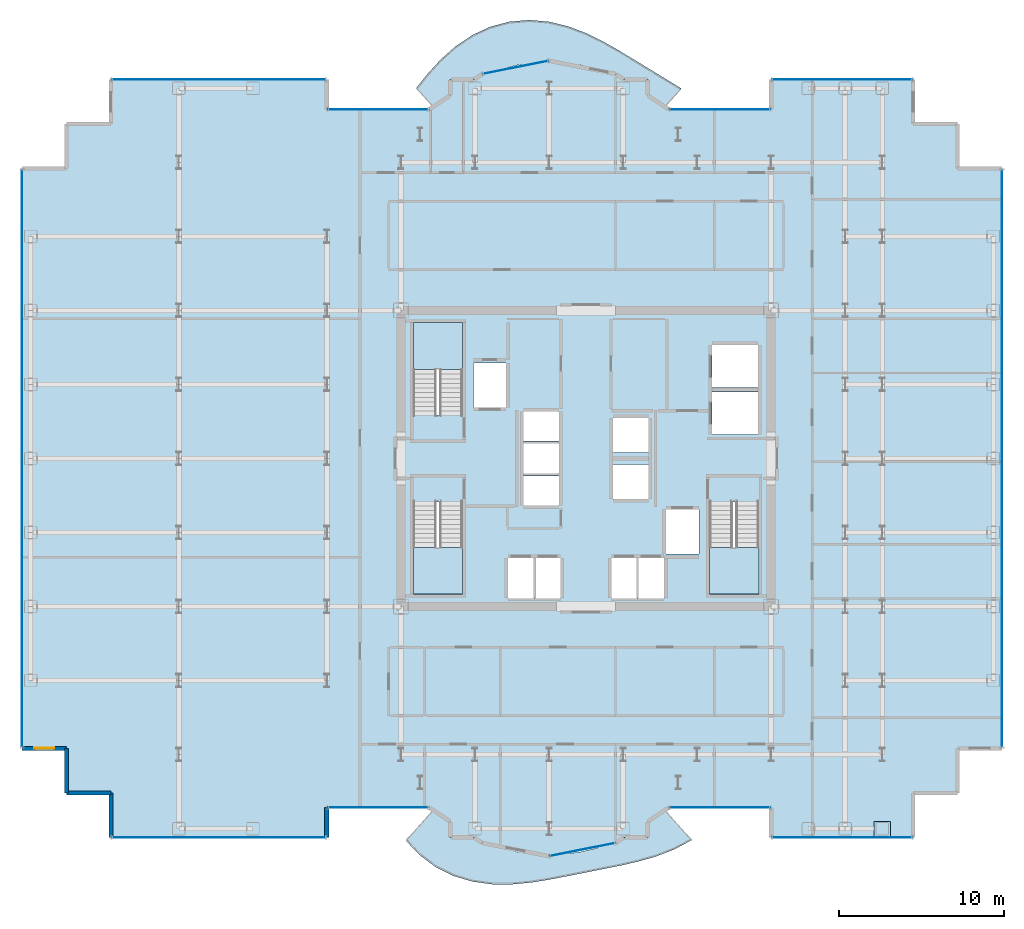
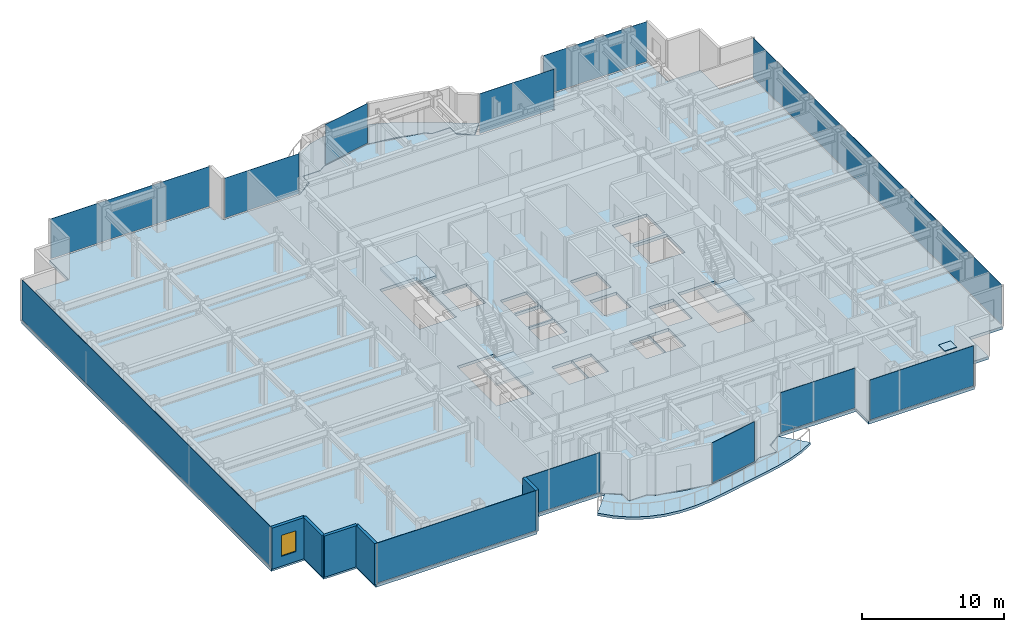
# One storey, part 14 of 22: 13 plates, 6 slabs, 5 walls, 1 window, 1 opening, 15 elements without a shape of their own.
"""IFC4 building model written with IfcOpenShell, lengths in metres."""

import ifcopenshell
import ifcopenshell.guid

model = None  # the IFC model being written
_history = None  # IfcOwnerHistory: only IFC2X3 demands one
_inside = {}  # id of a spatial element -> (the spatial element, [elements in it])
_under = {}  # id of a project, library or spatial element -> (it, [spatial elements below it])
_declared = {}  # id of a project -> (the project, [libraries it declares])
_typed = {}  # id of a type object -> (the type object, [elements of that type])
_made_of = {}  # id of a material, layer set ... -> (it, [elements and type objects made of it])


def new_model(schema):
    """Start an empty IFC model of exactly this schema.

    Asked for "IFC4X3", IfcOpenShell would pick the latest addendum, in which some entities
    have other attributes; the version numbers below select the first issue.
    IFC2X3 requires an IfcOwnerHistory on every rooted entity: one is made here for all.
    """
    global model, _history
    if schema == "IFC4X3":
        model = ifcopenshell.file(schema_version=(4, 3, 0, 0))
    else:
        model = ifcopenshell.file(schema=schema)
    _inside.clear()
    _under.clear()
    _declared.clear()
    _typed.clear()
    _made_of.clear()
    _history = None
    if model.schema == "IFC2X3":
        org = make("IfcOrganization", Name="unknown")
        user = make(
            "IfcPersonAndOrganization",
            ThePerson=make("IfcPerson", FamilyName="unknown"),
            TheOrganization=org,
        )
        app = make(
            "IfcApplication",
            ApplicationDeveloper=org,
            Version="unknown",
            ApplicationFullName="unknown",
            ApplicationIdentifier="unknown",
        )
        _history = make(
            "IfcOwnerHistory",
            OwningUser=user,
            OwningApplication=app,
            ChangeAction="ADDED",
            CreationDate=0,
        )
    return model


def make(cls, **values):
    """One entity of the class cls with the attributes given. An attribute that is None is left unset."""
    return model.create_entity(
        cls, **{name: value for name, value in values.items() if value is not None}
    )


def rooted(cls, **values):
    """An entity with a GlobalId (a new one), such as an element, a storey or a relation."""
    return make(cls, GlobalId=ifcopenshell.guid.new(), OwnerHistory=_history, **values)


def si_unit(unit_type, name, prefix=None):
    """IfcSIUnit, for example si_unit("LENGTHUNIT", "METRE", prefix="MILLI")."""
    return make("IfcSIUnit", UnitType=unit_type, Prefix=prefix, Name=name)


def assignment(units):
    """IfcUnitAssignment: the units of a project."""
    return None if units is None else make("IfcUnitAssignment", Units=units)


def point(xyz):
    """IfcCartesianPoint."""
    return None if xyz is None else make("IfcCartesianPoint", Coordinates=xyz)


def direction(xyz):
    """IfcDirection."""
    return None if xyz is None else make("IfcDirection", DirectionRatios=xyz)


def frame(location, z_axis=None, x_axis=None):
    """IfcAxis2Placement3D, a coordinate frame: its origin and axes. An axis left out is left unset."""
    return make(
        "IfcAxis2Placement3D",
        Location=point(location),
        Axis=direction(z_axis),
        RefDirection=direction(x_axis),
    )


def frame_2d(location, x_axis=None):
    """IfcAxis2Placement2D, a coordinate frame in the plane: its origin and x axis."""
    return make(
        "IfcAxis2Placement2D", Location=point(location), RefDirection=direction(x_axis)
    )


def origin():
    """The frame at (0, 0, 0) with its axes left unset."""
    return frame((0.0, 0.0, 0.0))


def origin_2d():
    """The frame at (0, 0) in the plane with its x axis left unset."""
    return frame_2d((0.0, 0.0))


def place(relative_to, where):
    """IfcLocalPlacement: puts the frame where relative to a parent placement (None: the world)."""
    return make(
        "IfcLocalPlacement", PlacementRelTo=relative_to, RelativePlacement=where
    )


def context(
    kind, dimensions, precision=None, world=None, true_north=None, identifier=None
):
    """IfcGeometricRepresentationContext, for example the 3D "Model" context."""
    return make(
        "IfcGeometricRepresentationContext",
        ContextIdentifier=identifier,
        ContextType=kind,
        CoordinateSpaceDimension=dimensions,
        Precision=precision,
        WorldCoordinateSystem=world,
        TrueNorth=true_north,
    )


def subcontext(parent, identifier, kind, view, scale=None):
    """IfcGeometricRepresentationSubContext, for example "Body" below "Model"."""
    return make(
        "IfcGeometricRepresentationSubContext",
        ContextIdentifier=identifier,
        ContextType=kind,
        ParentContext=parent,
        TargetScale=scale,
        TargetView=view,
    )


def project(units=None, contexts=None):
    """IfcProject with its units and contexts."""
    return rooted(
        "IfcProject",
        Name="project",
        RepresentationContexts=contexts,
        UnitsInContext=assignment(units),
    )


def spatial(cls, under=None, at=None, **own):
    """A site, building, storey or space (cls), placed at a placement, below another one or the project."""
    s = rooted(cls, ObjectPlacement=at, **own)
    if under is not None:
        _under.setdefault(under.id(), (under, []))[1].append(s)
    return s


def polyline(points):
    """IfcPolyline through the points."""
    return make("IfcPolyline", Points=[point(p) for p in points])


def profile(cls, at=None, kind="AREA", **sizes):
    """A parametric profile (cls). Its sizes go by their IFC names, for example OverallWidth=200.0."""
    return make(cls, ProfileType=kind, Position=at, **sizes)


def rectangle(**sizes):
    """IfcRectangleProfileDef."""
    return profile("IfcRectangleProfileDef", **sizes)


def outline(outer, holes=None, kind="AREA"):
    """IfcArbitraryClosedProfileDef: a profile drawn as a closed curve; with holes, ...WithVoids."""
    if holes is None:
        return make("IfcArbitraryClosedProfileDef", ProfileType=kind, OuterCurve=outer)
    return make(
        "IfcArbitraryProfileDefWithVoids",
        ProfileType=kind,
        OuterCurve=outer,
        InnerCurves=holes,
    )


def extrude(swept, where, along, depth):
    """IfcExtrudedAreaSolid: the profile swept, set in the frame where, extruded along a direction by depth."""
    return make(
        "IfcExtrudedAreaSolid",
        SweptArea=swept,
        Position=where,
        ExtrudedDirection=direction(along),
        Depth=depth,
    )


def shape(context_of_items, identifier, shape_type, items):
    """IfcShapeRepresentation: the items that make up one representation, for example the "Body"."""
    return make(
        "IfcShapeRepresentation",
        ContextOfItems=context_of_items,
        RepresentationIdentifier=identifier,
        RepresentationType=shape_type,
        Items=items,
    )


def source(mapping_origin, context_of_items, identifier, shape_type, items):
    """IfcRepresentationMap: a shape defined once, which mapped items show again and again."""
    return make(
        "IfcRepresentationMap",
        MappingOrigin=mapping_origin,
        MappedRepresentation=shape(context_of_items, identifier, shape_type, items),
    )


def transform(
    local_origin,
    x_axis=None,
    y_axis=None,
    z_axis=None,
    scale=None,
    scale2=None,
    scale3=None,
    uniform=True,
):
    """IfcCartesianTransformationOperator3D, or its non-uniform kind. x_axis, y_axis, z_axis: its Axis1, 2, 3."""
    if uniform:
        return make(
            "IfcCartesianTransformationOperator3D",
            Axis1=direction(x_axis),
            Axis2=direction(y_axis),
            LocalOrigin=point(local_origin),
            Scale=scale,
            Axis3=direction(z_axis),
        )
    return make(
        "IfcCartesianTransformationOperator3DnonUniform",
        Axis1=direction(x_axis),
        Axis2=direction(y_axis),
        LocalOrigin=point(local_origin),
        Scale=scale,
        Axis3=direction(z_axis),
        Scale2=scale2,
        Scale3=scale3,
    )


def mapped(mapping_source, mapping_target):
    """IfcMappedItem: shows the shape of a source again, moved by a transform."""
    return make(
        "IfcMappedItem", MappingSource=mapping_source, MappingTarget=mapping_target
    )


def material(Name=None, Category=None):
    """IfcMaterial."""
    return make("IfcMaterial", Name=Name, Category=Category)


def layer(
    of_material, thickness, ventilated=None, Name=None, Category=None, Priority=None
):
    """IfcMaterialLayer: one layer of a wall or slab, of a material (None: an air gap)."""
    return make(
        "IfcMaterialLayer",
        Material=of_material,
        LayerThickness=thickness,
        IsVentilated=ventilated,
        Name=Name,
        Category=Category,
        Priority=Priority,
    )


def layer_set(layers, Name=None):
    """IfcMaterialLayerSet."""
    return make("IfcMaterialLayerSet", MaterialLayers=layers, LayerSetName=Name)


def made_of(thing, what):
    """Note that an element or type object is made of a material, layer set ...; save() writes the relation."""
    if what is not None:
        _made_of.setdefault(what.id(), (what, []))[1].append(thing)
    return thing


def type_object(cls, material=None, **own):
    """A type object (cls), such as IfcWallType, which elements share."""
    return made_of(rooted(cls, **own), material)


def element(
    cls,
    number,
    at=None,
    inside=None,
    cuts=None,
    type_object=None,
    material=None,
    context=None,
    identifier="Body",
    shape_type=None,
    held_by="IfcProductDefinitionShape",
    body=None,
    shapes=None,
    **own,
):
    """One element of the class cls, such as IfcWall. Its Tag is "e" and its number.

    at: its placement. inside: the storey or other place that contains it. cuts: it is an
    opening in that element (IfcRelVoidsElement). A single representation is given by context,
    identifier, shape_type and body (its items); several are given by shapes. held_by: the class
    of the entity that holds the representations. save() writes the other relations.
    """
    e = rooted(cls, Tag="e%d" % number, ObjectPlacement=at, **own)
    if body is not None:
        shapes = [shape(context, identifier, shape_type, body)]
    if shapes is not None:
        e.Representation = make(held_by, Representations=shapes)
    if inside is not None:
        _inside.setdefault(inside.id(), (inside, []))[1].append(e)
    if cuts is not None:
        rooted(
            "IfcRelVoidsElement", RelatingBuildingElement=cuts, RelatedOpeningElement=e
        )
    if type_object is not None:
        _typed.setdefault(type_object.id(), (type_object, []))[1].append(e)
    return made_of(e, material)


def fill(opening, filler):
    """IfcRelFillsElement: the door or window that sits in an opening."""
    return rooted(
        "IfcRelFillsElement",
        RelatingOpeningElement=opening,
        RelatedBuildingElement=filler,
    )


def aggregate(whole, parts):
    """IfcRelAggregates: a whole, such as a stair, and the parts it consists of."""
    return rooted("IfcRelAggregates", RelatingObject=whole, RelatedObjects=parts)


def save(model, path):
    """Write the relations noted so far, then the file.

    IfcRelAggregates (storeys below a building ...), IfcRelContainedInSpatialStructure (elements
    in a storey), IfcRelDefinesByType, IfcRelAssociatesMaterial and IfcRelDeclares: one each for
    every whole, place, type object, material and project.
    """
    for whole, parts in _under.values():
        aggregate(whole, parts)
    for where, things in _inside.values():
        rooted(
            "IfcRelContainedInSpatialStructure",
            RelatedElements=things,
            RelatingStructure=where,
        )
    for kind, things in _typed.values():
        rooted("IfcRelDefinesByType", RelatedObjects=things, RelatingType=kind)
    for what, things in _made_of.values():
        rooted("IfcRelAssociatesMaterial", RelatedObjects=things, RelatingMaterial=what)
    for by, libraries in _declared.values():
        rooted("IfcRelDeclares", RelatingContext=by, RelatedDefinitions=libraries)
    model.write(path)


model = new_model("IFC4")

# Units and contexts
model_context = context("Model", 3, precision=1e-05, world=origin(), true_north=direction((0.0, 1.0)))
body_context = subcontext(model_context, "Body", "Model", "MODEL_VIEW")
ifc_project = project(units=[si_unit("LENGTHUNIT", "METRE"), si_unit("AREAUNIT", "SQUARE_METRE"), si_unit("VOLUMEUNIT", "CUBIC_METRE"), si_unit("PLANEANGLEUNIT", "RADIAN"), si_unit("MASSUNIT", "GRAM", prefix="KILO")], contexts=[model_context])

# Site, building, storey
site_placement = place(None, origin())
site = spatial("IfcSite", under=ifc_project, at=site_placement, CompositionType="ELEMENT")
building_placement = place(site_placement, origin())
building = spatial("IfcBuilding", under=site, at=building_placement, Name="Nefas-Gora Pilgrimage Tower", CompositionType="ELEMENT")
storey_placement = place(building_placement, frame((0.0, 0.0, 179.199951171875)))
storey = spatial("IfcBuildingStorey", under=building, at=storey_placement, Name="L44", CompositionType="ELEMENT", Elevation=179.199951171875)

# Slabs
ifc_material_1 = material(Name="Concrete C40/50", Category="concrete")
ifc_layer_1 = layer(ifc_material_1, 0.22509765625)
ifc_layer_set_1 = layer_set([ifc_layer_1], Name="Concrete C40/50")
slab_type_1 = type_object("IfcSlabType", Name="SLB-BAL-P1", PredefinedType="FLOOR", material=ifc_layer_set_1)
slab_1_placement = place(storey_placement, frame((0.0, 0.0, -0.224853515625)))
element("IfcSlab", 1, at=slab_1_placement, inside=storey, type_object=slab_type_1, Name="L44 Sinusoidal Lobe Balcony Slab S (Phase 1)", PredefinedType="FLOOR", context=body_context, shape_type="SweptSolid", body=[
    extrude(outline(polyline([(4.78759765625, -21.385986328125), (4.724609375, -21.427978515625), (4.038330078125, -21.9912109375), (3.760009765625, -22.179931640625), (3.760009765625, -23.02001953125), (3.760009765625, -23.02099609375), (3.759765625, -23.02197265625), (3.759521484375, -23.02294921875), (3.75927734375, -23.023681640625), (3.7587890625, -23.024658203125), (3.75830078125, -23.025634765625), (3.7578125, -23.0263671875), (3.757080078125, -23.027099609375), (3.75634765625, -23.027587890625), (3.755615234375, -23.0283203125), (3.754638671875, -23.02880859375), (3.75390625, -23.029296875), (3.7529296875, -23.029541015625), (3.751953125, -23.02978515625), (3.7509765625, -23.030029296875), (3.75, -23.030029296875), (2.3271484375, -23.030029296875), (1.81298828125, -23.37353515625), (1.81201171875, -23.3740234375), (1.811279296875, -23.37451171875), (1.810302734375, -23.375), (1.809326171875, -23.375), (1.13037109375, -23.51025390625), (0.602783203125, -23.685302734375), (-0.334716796875, -23.904052734375), (-1.288330078125, -24.035888671875), (-1.580078125, -24.04931640625), (-2.248046875, -24.18212890625), (-2.2490234375, -24.182373046875), (-2.25, -24.182373046875), (-2.2509765625, -24.182373046875), (-2.251953125, -24.18212890625), (-2.919921875, -24.04931640625), (-3.211669921875, -24.035888671875), (-4.165283203125, -23.904052734375), (-5.102783203125, -23.685302734375), (-5.63037109375, -23.51025390625), (-6.309326171875, -23.375), (-6.310302734375, -23.375), (-6.311279296875, -23.37451171875), (-6.31201171875, -23.3740234375), (-6.31298828125, -23.37353515625), (-6.8271484375, -23.030029296875), (-8.25, -23.030029296875), (-8.2509765625, -23.030029296875), (-8.251953125, -23.02978515625), (-8.2529296875, -23.029541015625), (-8.25390625, -23.029296875), (-8.254638671875, -23.02880859375), (-8.255615234375, -23.0283203125), (-8.25634765625, -23.027587890625), (-8.257080078125, -23.027099609375), (-8.2578125, -23.0263671875), (-8.25830078125, -23.025634765625), (-8.2587890625, -23.024658203125), (-8.25927734375, -23.023681640625), (-8.259521484375, -23.02294921875), (-8.259765625, -23.02197265625), (-8.260009765625, -23.02099609375), (-8.260009765625, -23.02001953125), (-8.260009765625, -22.179931640625), (-8.538330078125, -21.9912109375), (-9.224609375, -21.427978515625), (-9.28759765625, -21.385986328125), (-10.9453125, -23.22705078125), (-10.115234375, -24.102783203125), (-9.14697265625, -24.82470703125), (-8.06640625, -25.364501953125), (-6.91064453125, -25.711181640625), (-5.72021484375, -25.87451171875), (-4.531982421875, -25.882080078125), (-3.371337890625, -25.7744140625), (-2.25, -25.595947265625), (-1.164306640625, -25.38671875), (-0.099365234375, -25.17333984375), (0.963623046875, -24.964599609375), (2.04150390625, -24.749755859375), (3.14111328125, -24.502197265625), (4.254638671875, -24.184814453125), (5.35888671875, -23.759521484375), (6.416748046875, -23.1953125), (4.78759765625, -21.385986328125)])), origin(), (0.0, 0.0, 1.0), 0.224853515625),
])
ifc_layer_2 = layer(ifc_material_1, 0.22998046875)
ifc_layer_set_2 = layer_set([ifc_layer_2], Name="Concrete C40/50")
slab_type_2 = type_object("IfcSlabType", Name="SLB-BAL-P5", PredefinedType="FLOOR", material=ifc_layer_set_2)
slab_2_placement = place(storey_placement, frame((0.0, 0.0, -0.22998046875)))
element("IfcSlab", 2, at=slab_2_placement, inside=storey, type_object=slab_type_2, Name="L44 Sinusoidal Lobe Balcony Slab N (Phase 5)", PredefinedType="FLOOR", context=body_context, shape_type="SweptSolid", body=[
    extrude(outline(polyline([(-9.28759765625, 21.385986328125), (-9.224609375, 21.427978515625), (-8.538330078125, 21.9912109375), (-8.260009765625, 22.179931640625), (-8.260009765625, 23.02001953125), (-8.260009765625, 23.02099609375), (-8.259765625, 23.02197265625), (-8.259521484375, 23.02294921875), (-8.25927734375, 23.023681640625), (-8.2587890625, 23.024658203125), (-8.25830078125, 23.025634765625), (-8.2578125, 23.0263671875), (-8.257080078125, 23.027099609375), (-8.25634765625, 23.027587890625), (-8.255615234375, 23.0283203125), (-8.254638671875, 23.02880859375), (-8.25390625, 23.029296875), (-8.2529296875, 23.029541015625), (-8.251953125, 23.02978515625), (-8.2509765625, 23.030029296875), (-8.25, 23.030029296875), (-6.8271484375, 23.030029296875), (-6.31298828125, 23.37353515625), (-6.31201171875, 23.3740234375), (-6.311279296875, 23.37451171875), (-6.310302734375, 23.375), (-6.309326171875, 23.375), (-5.63037109375, 23.51025390625), (-5.102783203125, 23.685302734375), (-4.165283203125, 23.904052734375), (-3.211669921875, 24.035888671875), (-2.919921875, 24.04931640625), (-2.251953125, 24.18212890625), (-2.2509765625, 24.182373046875), (-2.25, 24.182373046875), (-2.2490234375, 24.182373046875), (-2.248046875, 24.18212890625), (-1.580078125, 24.04931640625), (-1.288330078125, 24.035888671875), (-0.334716796875, 23.904052734375), (0.602783203125, 23.685302734375), (1.13037109375, 23.51025390625), (1.809326171875, 23.375), (1.810302734375, 23.375), (1.811279296875, 23.37451171875), (1.81201171875, 23.3740234375), (1.81298828125, 23.37353515625), (2.3271484375, 23.030029296875), (3.75, 23.030029296875), (3.7509765625, 23.030029296875), (3.751953125, 23.02978515625), (3.7529296875, 23.029541015625), (3.75390625, 23.029296875), (3.754638671875, 23.02880859375), (3.755615234375, 23.0283203125), (3.75634765625, 23.027587890625), (3.757080078125, 23.027099609375), (3.7578125, 23.0263671875), (3.75830078125, 23.025634765625), (3.7587890625, 23.024658203125), (3.75927734375, 23.023681640625), (3.759521484375, 23.02294921875), (3.759765625, 23.02197265625), (3.760009765625, 23.02099609375), (3.760009765625, 23.02001953125), (3.760009765625, 22.179931640625), (4.038330078125, 21.9912109375), (4.724609375, 21.427978515625), (4.78759765625, 21.385986328125), (5.782958984375, 22.491455078125), (4.843017578125, 23.068603515625), (3.91552734375, 23.631103515625), (2.99072265625, 24.197265625), (2.048583984375, 24.768310546875), (1.06591796875, 25.326904296875), (0.02392578125, 25.83935546875), (-1.083984375, 26.2607421875), (-2.25, 26.5439453125), (-3.45166015625, 26.6484375), (-4.6552734375, 26.548095703125), (-5.822509765625, 26.23681640625), (-6.917724609375, 25.729736328125), (-7.916015625, 25.059814453125), (-8.807861328125, 24.271240234375), (-9.599365234375, 23.412109375), (-10.3115234375, 22.523193359375), (-9.28759765625, 21.385986328125)])), origin(), (0.0, 0.0, 1.0), 0.22998046875),
])
ifc_layer_3 = layer(ifc_material_1, 0.25)
ifc_layer_set_3 = layer_set([ifc_layer_3], Name="Concrete C40/50")
slab_type_3 = type_object("IfcSlabType", Name="SLB-TWR-250", PredefinedType="FLOOR", material=ifc_layer_set_3)
slab_3_placement = place(storey_placement, frame((0.0, 0.0, -0.25)))
element("IfcSlab", 3, at=slab_3_placement, inside=storey, type_object=slab_type_3, Name="L44 Structural Floor Slab", PredefinedType="FLOOR", context=body_context, shape_type="SweptSolid", body=[
    extrude(outline(polyline([(5.01806640625, -21.219970703125), (11.25, -21.219970703125), (11.25, -23.02001953125), (19.8701171875, -23.02001953125), (19.8701171875, -20.320068359375), (22.570068359375, -20.320068359375), (22.570068359375, -17.6201171875), (25.27001953125, -17.6201171875), (25.27001953125, 17.6201171875), (22.570068359375, 17.6201171875), (22.570068359375, 20.320068359375), (19.8701171875, 20.320068359375), (19.8701171875, 23.02001953125), (11.25, 23.02001953125), (11.25, 21.219970703125), (5.01806640625, 21.219970703125), (3.75, 22.0673828125), (3.75, 23.02001953125), (2.32421875, 23.02001953125), (1.807373046875, 23.365234375), (-2.25, 24.17236328125), (-6.307373046875, 23.365234375), (-6.82421875, 23.02001953125), (-8.25, 23.02001953125), (-8.25, 22.0673828125), (-9.51806640625, 21.219970703125), (-15.75, 21.219970703125), (-15.75, 23.02001953125), (-28.8701171875, 23.02001953125), (-28.8701171875, 20.320068359375), (-31.570068359375, 20.320068359375), (-31.570068359375, 17.6201171875), (-34.27001953125, 17.6201171875), (-34.27001953125, -17.6201171875), (-31.570068359375, -17.6201171875), (-31.570068359375, -20.320068359375), (-28.8701171875, -20.320068359375), (-28.8701171875, -23.02001953125), (-15.75, -23.02001953125), (-15.75, -21.219970703125), (-9.51806640625, -21.219970703125), (-8.25, -22.0673828125), (-8.25, -23.02001953125), (-6.82421875, -23.02001953125), (-6.307373046875, -23.365234375), (-2.25, -24.17236328125), (1.807373046875, -23.365234375), (2.32421875, -23.02001953125), (3.75, -23.02001953125), (3.75, -22.0673828125), (5.01806640625, -21.219970703125)]), holes=[polyline([(-10.5, 2.639892578125), (-10.5, 8.25), (-7.5, 8.25), (-7.5, 2.639892578125), (-10.5, 2.639892578125)]), polyline([(10.5, -2.639892578125), (10.5, -8.25), (7.5, -8.25), (7.5, -2.639892578125), (10.5, -2.639892578125)]), polyline([(-7.5, -2.639892578125), (-7.5, -8.25), (-10.5, -8.25), (-10.5, -2.639892578125), (-7.5, -2.639892578125)]), polyline([(-6.85009765625, 5.800048828125), (-4.85009765625, 5.800048828125), (-4.85009765625, 3.10009765625), (-6.85009765625, 3.10009765625), (-6.85009765625, 5.800048828125)]), polyline([(4.85009765625, -3.10009765625), (6.85009765625, -3.10009765625), (6.85009765625, -5.800048828125), (4.85009765625, -5.800048828125), (4.85009765625, -3.10009765625)]), polyline([(7.64990234375, 4.050048828125), (10.449951171875, 4.050048828125), (10.449951171875, 1.449951171875), (7.64990234375, 1.449951171875), (7.64990234375, 4.050048828125)]), polyline([(7.64990234375, 6.89990234375), (10.449951171875, 6.89990234375), (10.449951171875, 4.300048828125), (7.64990234375, 4.300048828125), (7.64990234375, 6.89990234375)]), polyline([(-4.75, -6.050048828125), (-3.14990234375, -6.050048828125), (-3.14990234375, -8.5), (-4.75, -8.5), (-4.75, -6.050048828125)]), polyline([(-3.10009765625, -6.050048828125), (-1.550048828125, -6.050048828125), (-1.550048828125, -8.5), (-3.10009765625, -8.5), (-3.10009765625, -6.050048828125)]), polyline([(1.550048828125, -6.050048828125), (3.10009765625, -6.050048828125), (3.10009765625, -8.5), (1.550048828125, -8.5), (1.550048828125, -6.050048828125)]), polyline([(3.14990234375, -6.050048828125), (4.75, -6.050048828125), (4.75, -8.5), (3.14990234375, -8.5), (3.14990234375, -6.050048828125)]), polyline([(-3.800048828125, -1.050048828125), (-1.64990234375, -1.050048828125), (-1.64990234375, -2.85009765625), (-3.800048828125, -2.85009765625), (-3.800048828125, -1.050048828125)]), polyline([(-3.800048828125, 0.89990234375), (-1.64990234375, 0.89990234375), (-1.64990234375, -0.89990234375), (-3.800048828125, -0.89990234375), (-3.800048828125, 0.89990234375)]), polyline([(-3.800048828125, 2.85009765625), (-1.64990234375, 2.85009765625), (-1.64990234375, 1.050048828125), (-3.800048828125, 1.050048828125), (-3.800048828125, 2.85009765625)]), polyline([(1.64990234375, -0.35009765625), (3.800048828125, -0.35009765625), (3.800048828125, -2.449951171875), (1.64990234375, -2.449951171875), (1.64990234375, -0.35009765625)]), polyline([(1.64990234375, 2.449951171875), (3.800048828125, 2.449951171875), (3.800048828125, 0.35009765625), (1.64990234375, 0.35009765625), (1.64990234375, 2.449951171875)])]), origin(), (0.0, 0.0, 1.0), 0.25),
])

# Stair, slab
ifc_material_2 = material(Name="Concrete C45/55", Category="concrete")
stair_type = type_object("IfcStairType", Name="STR-1400-R1727", PredefinedType="HALF_TURN_STAIR", material=ifc_material_2)
stair_1_placement = place(storey_placement, origin())
stair_1 = element("IfcStair", 4, at=stair_1_placement, inside=storey, type_object=stair_type, Name="L44 Pressurised Tower Exit Stair ST-01", PredefinedType="HALF_TURN_STAIR")
ifc_layer_4 = layer(ifc_material_1, 0.199951171875)
ifc_layer_set_4 = layer_set([ifc_layer_4], Name="Concrete C40/50")
slab_type_4 = type_object("IfcSlabType", Name="STR-LAND-200", PredefinedType="LANDING", material=ifc_layer_set_4)
slab_4_placement = place(storey_placement, frame((0.0, 0.0, 1.699951171875)))
slab_4 = element("IfcSlab", 5, at=slab_4_placement, type_object=slab_type_4, Name="ST-01 landing 1", PredefinedType="LANDING", context=body_context, shape_type="SweptSolid", body=[
    extrude(outline(polyline([(-7.5, 5.39990234375), (-7.5, 8.25), (-10.5, 8.25), (-10.5, 5.39990234375), (-7.5, 5.39990234375)])), origin(), (0.0, 0.0, 1.0), 0.2001953125),
])
aggregate(stair_1, [slab_4])

stair_2_placement = place(storey_placement, origin())
stair_2 = element("IfcStair", 6, at=stair_2_placement, inside=storey, type_object=stair_type, Name="L44 Pressurised Tower Exit Stair ST-02", PredefinedType="HALF_TURN_STAIR")
slab_5_placement = place(storey_placement, frame((0.0, 0.0, 1.699951171875)))
slab_5 = element("IfcSlab", 7, at=slab_5_placement, type_object=slab_type_4, Name="ST-02 landing 1", PredefinedType="LANDING", context=body_context, shape_type="SweptSolid", body=[
    extrude(outline(polyline([(7.5, -5.39990234375), (7.5, -8.25), (10.5, -8.25), (10.5, -5.39990234375), (7.5, -5.39990234375)])), origin(), (0.0, 0.0, 1.0), 0.2001953125),
])
aggregate(stair_2, [slab_5])

stair_3_placement = place(storey_placement, origin())
stair_3 = element("IfcStair", 8, at=stair_3_placement, inside=storey, type_object=stair_type, Name="L44 Pressurised Tower Exit Stair ST-03", PredefinedType="HALF_TURN_STAIR")
slab_6_placement = place(storey_placement, frame((0.0, 0.0, 1.699951171875)))
slab_6 = element("IfcSlab", 9, at=slab_6_placement, type_object=slab_type_4, Name="ST-03 landing 1", PredefinedType="LANDING", context=body_context, shape_type="SweptSolid", body=[
    extrude(outline(polyline([(-10.5, -5.39990234375), (-10.5, -8.25), (-7.5, -8.25), (-7.5, -5.39990234375), (-10.5, -5.39990234375)])), origin(), (0.0, 0.0, 1.0), 0.2001953125),
])
aggregate(stair_3, [slab_6])

# Plate
ifc_material_3 = material(Name="Steel S460", Category="steel")
ifc_layer_5 = layer(ifc_material_3, 0.0400390625)
ifc_layer_set_5 = layer_set([ifc_layer_5], Name="Steel S460")
plate_type_1 = type_object("IfcPlateType", Name="PLT-ENDCAP-40", PredefinedType="SHEET", material=ifc_layer_set_5)
shared_shape_1 = source(origin(), body_context, "Body", "SweptSolid", [
    extrude(rectangle(XDim=0.97607421875, YDim=0.8798828125, at=origin_2d()), origin(), (0.0, 0.0, 1.0), 0.050048828125),
])
plate_1_placement = place(storey_placement, frame((18.0, -22.5, 3.77490234375), z_axis=(0.0, 0.0, 1.0), x_axis=(1.0, 0.0, 0.0)))
element("IfcPlate", 10, at=plate_1_placement, inside=storey, type_object=plate_type_1, Name="L44 Setback Hollow Column Top Cap Plate 32", PredefinedType="SHEET", context=body_context, shape_type="MappedRepresentation", body=[
    mapped(shared_shape_1, transform((0.0, 0.0, 0.0), x_axis=(1.0, 0.0, 0.0), y_axis=(0.0, 1.0, 0.0), z_axis=(0.0, 0.0, 1.0), scale=1.0)),
])

# Curtain wall, plate
ifc_material_4 = material(Name="Dark ceramic-fritted solar-control aluminium-glass curtain wall", Category="aluminium")
ifc_layer_6 = layer(ifc_material_4, 0.219970703125)
ifc_layer_set_6 = layer_set([ifc_layer_6], Name="Dark ceramic-fritted solar-control aluminium-glass curtain wall")
curtain_wall_type_1 = type_object("IfcCurtainWallType", Name="CW-SYS-5", PredefinedType="NOTDEFINED", material=ifc_layer_set_6)
curtain_wall_1_placement = place(storey_placement, origin())
curtain_wall_1 = element("IfcCurtainWall", 11, at=curtain_wall_1_placement, inside=storey, type_object=curtain_wall_type_1, Name="L44 Unitised Curtain Wall CW5", PredefinedType="NOTDEFINED")
ifc_material_5 = material(Name="Dark ceramic-printed low-e insulated glass", Category="glass")
ifc_layer_7 = layer(ifc_material_5, 0.028076171875)
ifc_layer_set_7 = layer_set([ifc_layer_7], Name="Dark ceramic-printed low-e insulated glass")
plate_type_2 = type_object("IfcPlateType", Name="CWP-PNL-5", PredefinedType="CURTAIN_PANEL", material=ifc_layer_set_7)
shared_shape_2 = source(origin(), body_context, "Body", "SweptSolid", [
    extrude(rectangle(XDim=6.052001953125, YDim=0.028076171875, at=origin_2d()), origin(), (0.0, 0.0, 1.0), 3.43994140625),
])
plate_2_placement = place(storey_placement, frame((8.134033203125, -21.219970703125, 0.10009765625), z_axis=(0.0, 0.0, 1.0), x_axis=(1.0, 0.0, 0.0)))
plate_2 = element("IfcPlate", 12, at=plate_2_placement, type_object=plate_type_2, Name="CW5 Ceramic-Fritted Glazing Panel 1", PredefinedType="CURTAIN_PANEL", context=body_context, shape_type="MappedRepresentation", body=[
    mapped(shared_shape_2, transform((0.0, 0.0, 0.0), x_axis=(1.0, 0.0, 0.0), y_axis=(0.0, 1.0, 0.0), z_axis=(0.0, 0.0, 1.0), scale=1.0)),
])
aggregate(curtain_wall_1, [plate_2])

curtain_wall_2_placement = place(storey_placement, origin())
curtain_wall_2 = element("IfcCurtainWall", 13, at=curtain_wall_2_placement, inside=storey, type_object=curtain_wall_type_1, Name="L44 Unitised Curtain Wall CW5", PredefinedType="NOTDEFINED")
plate_3_placement = place(storey_placement, frame((8.134033203125, 21.219970703125, 0.10009765625), z_axis=(0.0, 0.0, 1.0), x_axis=(-1.0, 0.0, 0.0)))
plate_3 = element("IfcPlate", 14, at=plate_3_placement, type_object=plate_type_2, Name="CW5 Ceramic-Fritted Glazing Panel 1", PredefinedType="CURTAIN_PANEL", context=body_context, shape_type="MappedRepresentation", body=[
    mapped(shared_shape_2, transform((0.0, 0.0, 0.0), x_axis=(1.0, 0.0, 0.0), y_axis=(0.0, 1.0, 0.0), z_axis=(0.0, 0.0, 1.0), scale=1.0)),
])
aggregate(curtain_wall_2, [plate_3])

curtain_wall_3_placement = place(storey_placement, origin())
curtain_wall_3 = element("IfcCurtainWall", 15, at=curtain_wall_3_placement, inside=storey, type_object=curtain_wall_type_1, Name="L44 Unitised Curtain Wall CW5", PredefinedType="NOTDEFINED")
plate_4_placement = place(storey_placement, frame((-12.634033203125, 21.219970703125, 0.10009765625), z_axis=(0.0, 0.0, 1.0), x_axis=(-1.0, 0.0, 0.0)))
plate_4 = element("IfcPlate", 16, at=plate_4_placement, type_object=plate_type_2, Name="CW5 Ceramic-Fritted Glazing Panel 1", PredefinedType="CURTAIN_PANEL", context=body_context, shape_type="MappedRepresentation", body=[
    mapped(shared_shape_2, transform((0.0, 0.0, 0.0), x_axis=(1.0, 0.0, 0.0), y_axis=(0.0, 1.0, 0.0), z_axis=(0.0, 0.0, 1.0), scale=1.0)),
])
aggregate(curtain_wall_3, [plate_4])

curtain_wall_4_placement = place(storey_placement, origin())
curtain_wall_4 = element("IfcCurtainWall", 17, at=curtain_wall_4_placement, inside=storey, type_object=curtain_wall_type_1, Name="L44 Unitised Curtain Wall CW5", PredefinedType="NOTDEFINED")
plate_5_placement = place(storey_placement, frame((-12.634033203125, -21.219970703125, 0.10009765625), z_axis=(0.0, 0.0, 1.0), x_axis=(1.0, 0.0, 0.0)))
plate_5 = element("IfcPlate", 18, at=plate_5_placement, type_object=plate_type_2, Name="CW5 Ceramic-Fritted Glazing Panel 1", PredefinedType="CURTAIN_PANEL", context=body_context, shape_type="MappedRepresentation", body=[
    mapped(shared_shape_2, transform((0.0, 0.0, 0.0), x_axis=(1.0, 0.0, 0.0), y_axis=(0.0, 1.0, 0.0), z_axis=(0.0, 0.0, 1.0), scale=1.0)),
])
aggregate(curtain_wall_4, [plate_5])

curtain_wall_5_placement = place(storey_placement, origin())
curtain_wall_5 = element("IfcCurtainWall", 19, at=curtain_wall_5_placement, inside=storey, type_object=curtain_wall_type_1, Name="L44 Unitised Curtain Wall CW5", PredefinedType="NOTDEFINED")
shared_shape_3 = source(origin(), body_context, "Body", "SweptSolid", [
    extrude(rectangle(XDim=3.956787109375, YDim=0.028076171875, at=origin_2d()), origin(), (0.0, 0.0, 1.0), 3.43994140625),
])
plate_6_placement = place(storey_placement, frame((-4.278564453125, 23.768798828125, 0.10009765625), z_axis=(0.0, 0.0, 1.0), x_axis=(-0.980782896852, -0.195102304554, 0.0)))
plate_6 = element("IfcPlate", 20, at=plate_6_placement, type_object=plate_type_2, Name="CW5 Ceramic-Fritted Glazing Panel 1", PredefinedType="CURTAIN_PANEL", context=body_context, shape_type="MappedRepresentation", body=[
    mapped(shared_shape_3, transform((0.0, 0.0, 0.0), x_axis=(1.0, 0.0, 0.0), y_axis=(0.0, 1.0, 0.0), z_axis=(0.0, 0.0, 1.0), scale=1.0)),
])
aggregate(curtain_wall_5, [plate_6])

curtain_wall_6_placement = place(storey_placement, origin())
curtain_wall_6 = element("IfcCurtainWall", 21, at=curtain_wall_6_placement, inside=storey, type_object=curtain_wall_type_1, Name="L44 Unitised Curtain Wall CW5", PredefinedType="NOTDEFINED")
plate_7_placement = place(storey_placement, frame((-0.221435546875, -23.768798828125, 0.10009765625), z_axis=(0.0, 0.0, 1.0), x_axis=(0.980782896852, 0.195102304554, 0.0)))
plate_7 = element("IfcPlate", 22, at=plate_7_placement, type_object=plate_type_2, Name="CW5 Ceramic-Fritted Glazing Panel 1", PredefinedType="CURTAIN_PANEL", context=body_context, shape_type="MappedRepresentation", body=[
    mapped(shared_shape_3, transform((0.0, 0.0, 0.0), x_axis=(1.0, 0.0, 0.0), y_axis=(0.0, 1.0, 0.0), z_axis=(0.0, 0.0, 1.0), scale=1.0)),
])
aggregate(curtain_wall_6, [plate_7])

ifc_layer_8 = layer(ifc_material_4, 0.219970703125)
ifc_layer_set_8 = layer_set([ifc_layer_8], Name="Dark ceramic-fritted solar-control aluminium-glass curtain wall")
curtain_wall_type_2 = type_object("IfcCurtainWallType", Name="CW-SYS-3", PredefinedType="NOTDEFINED", material=ifc_layer_set_8)
curtain_wall_7_placement = place(storey_placement, origin())
curtain_wall_7 = element("IfcCurtainWall", 23, at=curtain_wall_7_placement, inside=storey, type_object=curtain_wall_type_2, Name="L44 Unitised Curtain Wall CW3", PredefinedType="NOTDEFINED")
ifc_layer_9 = layer(ifc_material_5, 0.033935546875)
ifc_layer_set_9 = layer_set([ifc_layer_9], Name="Dark ceramic-printed low-e insulated glass")
plate_type_3 = type_object("IfcPlateType", Name="CWP-PNL-3", PredefinedType="CURTAIN_PANEL", material=ifc_layer_set_9)
shared_shape_4 = source(origin(), body_context, "Body", "SweptSolid", [
    extrude(rectangle(XDim=8.43994140625, YDim=0.033935546875, at=origin_2d()), origin(), (0.0, 0.0, 1.0), 3.43994140625),
])
plate_8_placement = place(storey_placement, frame((15.56005859375, -23.02001953125, 0.10009765625), z_axis=(0.0, 0.0, 1.0), x_axis=(1.0, 0.0, 0.0)))
plate_8 = element("IfcPlate", 24, at=plate_8_placement, type_object=plate_type_3, Name="CW3 Ceramic-Fritted Glazing Panel 1", PredefinedType="CURTAIN_PANEL", context=body_context, shape_type="MappedRepresentation", body=[
    mapped(shared_shape_4, transform((0.0, 0.0, 0.0), x_axis=(1.0, 0.0, 0.0), y_axis=(0.0, 1.0, 0.0), z_axis=(0.0, 0.0, 1.0), scale=1.0)),
])
aggregate(curtain_wall_7, [plate_8])

curtain_wall_8_placement = place(storey_placement, origin())
curtain_wall_8 = element("IfcCurtainWall", 25, at=curtain_wall_8_placement, inside=storey, type_object=curtain_wall_type_2, Name="L44 Unitised Curtain Wall CW3", PredefinedType="NOTDEFINED")
plate_9_placement = place(storey_placement, frame((15.56005859375, 23.02001953125, 0.10009765625), z_axis=(0.0, 0.0, 1.0), x_axis=(-1.0, 0.0, 0.0)))
plate_9 = element("IfcPlate", 26, at=plate_9_placement, type_object=plate_type_3, Name="CW3 Ceramic-Fritted Glazing Panel 1", PredefinedType="CURTAIN_PANEL", context=body_context, shape_type="MappedRepresentation", body=[
    mapped(shared_shape_4, transform((0.0, 0.0, 0.0), x_axis=(1.0, 0.0, 0.0), y_axis=(0.0, 1.0, 0.0), z_axis=(0.0, 0.0, 1.0), scale=1.0)),
])
aggregate(curtain_wall_8, [plate_9])

curtain_wall_9_placement = place(storey_placement, origin())
curtain_wall_9 = element("IfcCurtainWall", 27, at=curtain_wall_9_placement, inside=storey, type_object=curtain_wall_type_2, Name="L44 Unitised Curtain Wall CW3", PredefinedType="NOTDEFINED")
shared_shape_5 = source(origin(), body_context, "Body", "SweptSolid", [
    extrude(rectangle(XDim=12.93994140625, YDim=0.033935546875, at=origin_2d()), origin(), (0.0, 0.0, 1.0), 3.43994140625),
])
plate_10_placement = place(storey_placement, frame((-22.31005859375, 23.02001953125, 0.10009765625), z_axis=(0.0, 0.0, 1.0), x_axis=(-1.0, 0.0, 0.0)))
plate_10 = element("IfcPlate", 28, at=plate_10_placement, type_object=plate_type_3, Name="CW3 Ceramic-Fritted Glazing Panel 1", PredefinedType="CURTAIN_PANEL", context=body_context, shape_type="MappedRepresentation", body=[
    mapped(shared_shape_5, transform((0.0, 0.0, 0.0), x_axis=(1.0, 0.0, 0.0), y_axis=(0.0, 1.0, 0.0), z_axis=(0.0, 0.0, 1.0), scale=1.0)),
])
aggregate(curtain_wall_9, [plate_10])

curtain_wall_10_placement = place(storey_placement, origin())
curtain_wall_10 = element("IfcCurtainWall", 29, at=curtain_wall_10_placement, inside=storey, type_object=curtain_wall_type_2, Name="L44 Unitised Curtain Wall CW3", PredefinedType="NOTDEFINED")
plate_11_placement = place(storey_placement, frame((-22.31005859375, -23.02001953125, 0.10009765625), z_axis=(0.0, 0.0, 1.0), x_axis=(1.0, 0.0, 0.0)))
plate_11 = element("IfcPlate", 30, at=plate_11_placement, type_object=plate_type_3, Name="CW3 Ceramic-Fritted Glazing Panel 1", PredefinedType="CURTAIN_PANEL", context=body_context, shape_type="MappedRepresentation", body=[
    mapped(shared_shape_5, transform((0.0, 0.0, 0.0), x_axis=(1.0, 0.0, 0.0), y_axis=(0.0, 1.0, 0.0), z_axis=(0.0, 0.0, 1.0), scale=1.0)),
])
aggregate(curtain_wall_10, [plate_11])

curtain_wall_11_placement = place(storey_placement, origin())
curtain_wall_11 = element("IfcCurtainWall", 31, at=curtain_wall_11_placement, inside=storey, type_object=curtain_wall_type_2, Name="L44 Unitised Curtain Wall CW3", PredefinedType="NOTDEFINED")
shared_shape_6 = source(origin(), body_context, "Body", "SweptSolid", [
    extrude(rectangle(XDim=35.06005859375, YDim=0.033935546875, at=origin_2d()), origin(), (0.0, 0.0, 1.0), 3.43994140625),
])
plate_12_placement = place(storey_placement, frame((25.27001953125, 0.0, 0.10009765625), z_axis=(0.0, 0.0, 1.0), x_axis=(0.0, 1.0, 0.0)))
plate_12 = element("IfcPlate", 32, at=plate_12_placement, type_object=plate_type_3, Name="CW3 Ceramic-Fritted Glazing Panel 1", PredefinedType="CURTAIN_PANEL", context=body_context, shape_type="MappedRepresentation", body=[
    mapped(shared_shape_6, transform((0.0, 0.0, 0.0), x_axis=(1.0, 0.0, 0.0), y_axis=(0.0, 1.0, 0.0), z_axis=(0.0, 0.0, 1.0), scale=1.0)),
])
aggregate(curtain_wall_11, [plate_12])

curtain_wall_12_placement = place(storey_placement, origin())
curtain_wall_12 = element("IfcCurtainWall", 33, at=curtain_wall_12_placement, inside=storey, type_object=curtain_wall_type_2, Name="L44 Unitised Curtain Wall CW3", PredefinedType="NOTDEFINED")
plate_13_placement = place(storey_placement, frame((-34.27001953125, 0.0, 0.10009765625), z_axis=(0.0, 0.0, 1.0), x_axis=(0.0, -1.0, 0.0)))
plate_13 = element("IfcPlate", 34, at=plate_13_placement, type_object=plate_type_3, Name="CW3 Ceramic-Fritted Glazing Panel 1", PredefinedType="CURTAIN_PANEL", context=body_context, shape_type="MappedRepresentation", body=[
    mapped(shared_shape_6, transform((0.0, 0.0, 0.0), x_axis=(1.0, 0.0, 0.0), y_axis=(0.0, 1.0, 0.0), z_axis=(0.0, 0.0, 1.0), scale=1.0)),
])
aggregate(curtain_wall_12, [plate_13])

# Wall
ifc_material_6 = material(Name="Precast concrete C40/50", Category="concrete")
ifc_layer_10 = layer(ifc_material_6, 0.260009765625)
ifc_layer_set_10 = layer_set([ifc_layer_10], Name="Precast concrete C40/50")
wall_type_1 = type_object("IfcWallType", Name="EW-PORTAL-260", PredefinedType="SOLIDWALL", material=ifc_layer_set_10)
shared_shape_7 = source(origin(), body_context, "Body", "SweptSolid", [
    extrude(rectangle(XDim=1.800048828125, YDim=0.260009765625, at=frame_2d((0.89990234375, 0.0))), origin(), (0.0, 0.0, 1.0), 3.550048828125),
])
wall_1_placement = place(storey_placement, frame((-15.75, -23.02001953125, 0.0), z_axis=(0.0, 0.0, 1.0), x_axis=(0.0, 1.0, 0.0)))
element("IfcWall", 35, at=wall_1_placement, inside=storey, type_object=wall_type_1, Name="L44 Lobe Shoulder Precast Spandrel Pier 29", PredefinedType="SOLIDWALL", context=body_context, shape_type="MappedRepresentation", body=[
    mapped(shared_shape_7, transform((0.0, 0.0, 0.0), x_axis=(1.0, 0.0, 0.0), y_axis=(0.0, 1.0, 0.0), z_axis=(0.0, 0.0, 1.0), scale=1.0)),
])

# Wall, opening, window
ifc_material_7 = material(Name="Precast concrete C45/55", Category="concrete")
ifc_layer_11 = layer(ifc_material_7, 0.239990234375)
ifc_layer_set_11 = layer_set([ifc_layer_11], Name="Precast concrete C45/55")
wall_type_2 = type_object("IfcWallType", Name="EW-SERR-240", PredefinedType="SHEAR", material=ifc_layer_set_11)
shared_shape_8 = source(origin(), body_context, "Body", "SweptSolid", [
    extrude(rectangle(XDim=2.699951171875, YDim=0.239990234375, at=frame_2d((1.35009765625, 0.0))), origin(), (0.0, 0.0, 1.0), 3.550048828125),
])
wall_2_placement = place(storey_placement, frame((-34.27001953125, -17.6201171875, 0.0), z_axis=(0.0, 0.0, 1.0), x_axis=(1.0, 0.0, 0.0)))
wall_2 = element("IfcWall", 36, at=wall_2_placement, inside=storey, type_object=wall_type_2, Name="L44 Serrated Corner Shear Pier Wall 25", PredefinedType="SHEAR", context=body_context, shape_type="MappedRepresentation", body=[
    mapped(shared_shape_8, transform((0.0, 0.0, 0.0), x_axis=(1.0, 0.0, 0.0), y_axis=(0.0, 1.0, 0.0), z_axis=(0.0, 0.0, 1.0), scale=1.0)),
])
opening_placement = place(wall_2_placement, frame((0.75, 0.0, 0.85009765625)))
opening = element("IfcOpeningElement", 37, at=opening_placement, cuts=wall_2, Name="Opening W-V1", PredefinedType="OPENING", context=body_context, shape_type="SweptSolid", body=[
    extrude(rectangle(XDim=1.199951171875, YDim=1.800048828125, at=frame_2d((0.60009765625, 0.89990234375))), frame((0.0, 0.1298828125, 0.0), z_axis=(0.0, -1.0, 0.0), x_axis=(1.0, 0.0, 0.0)), (0.0, 0.0, 1.0), 0.260009765625),
])
ifc_material_8 = material(Name="Dark ceramic-fritted operable aluminium-glass window", Category="aluminium")
window_type = type_object("IfcWindowType", Name="WIN-VENT-1200x1800", PartitioningType="SINGLE_PANEL", PredefinedType="WINDOW", material=ifc_material_8)
shared_shape_9 = source(origin(), body_context, "Body", "SweptSolid", [
    extrude(rectangle(XDim=1.199951171875, YDim=1.800048828125, at=frame_2d((0.60009765625, 0.89990234375))), frame((0.0, 0.030029296875, 0.0), z_axis=(0.0, -1.0, 0.0), x_axis=(1.0, 0.0, 0.0)), (0.0, 0.0, 1.0), 0.06005859375),
])
window_placement = place(opening_placement, origin())
window = element("IfcWindow", 38, at=window_placement, inside=storey, type_object=window_type, Name="L44 Operable Parallel-Outswing Window 25", OverallHeight=1.800048828125, OverallWidth=1.199951171875, PartitioningType="SINGLE_PANEL", PredefinedType="WINDOW", context=body_context, shape_type="MappedRepresentation", body=[
    mapped(shared_shape_9, transform((0.0, 0.0, 0.0), x_axis=(1.0, 0.0, 0.0), y_axis=(0.0, 1.0, 0.0), z_axis=(0.0, 0.0, 1.0), scale=1.0)),
])
fill(opening, window)

# Walls
for number, where, z_axis, x_axis, name in (
    (39, (-31.570068359375, -17.6201171875, 0.0), (0.0, 0.0, 1.0), (0.0, -1.0, 0.0), "L44 Serrated Corner Shear Pier Wall 26"),
    (40, (-31.570068359375, -20.320068359375, 0.0), (0.0, 0.0, 1.0), (1.0, 0.0, 0.0), "L44 Serrated Corner Shear Pier Wall 27"),
    (41, (-28.8701171875, -20.320068359375, 0.0), (0.0, 0.0, 1.0), (0.0, -1.0, 0.0), "L44 Serrated Corner Shear Pier Wall 28"),
):
    element("IfcWall", number, at=place(storey_placement, frame(where, z_axis=z_axis, x_axis=x_axis)), inside=storey, type_object=wall_type_2, Name=name, PredefinedType="SHEAR", context=body_context, shape_type="MappedRepresentation", body=[
        mapped(shared_shape_8, transform((0.0, 0.0, 0.0), x_axis=(1.0, 0.0, 0.0), y_axis=(0.0, 1.0, 0.0), z_axis=(0.0, 0.0, 1.0), scale=1.0)),
    ])

save(model, "model.ifc")
